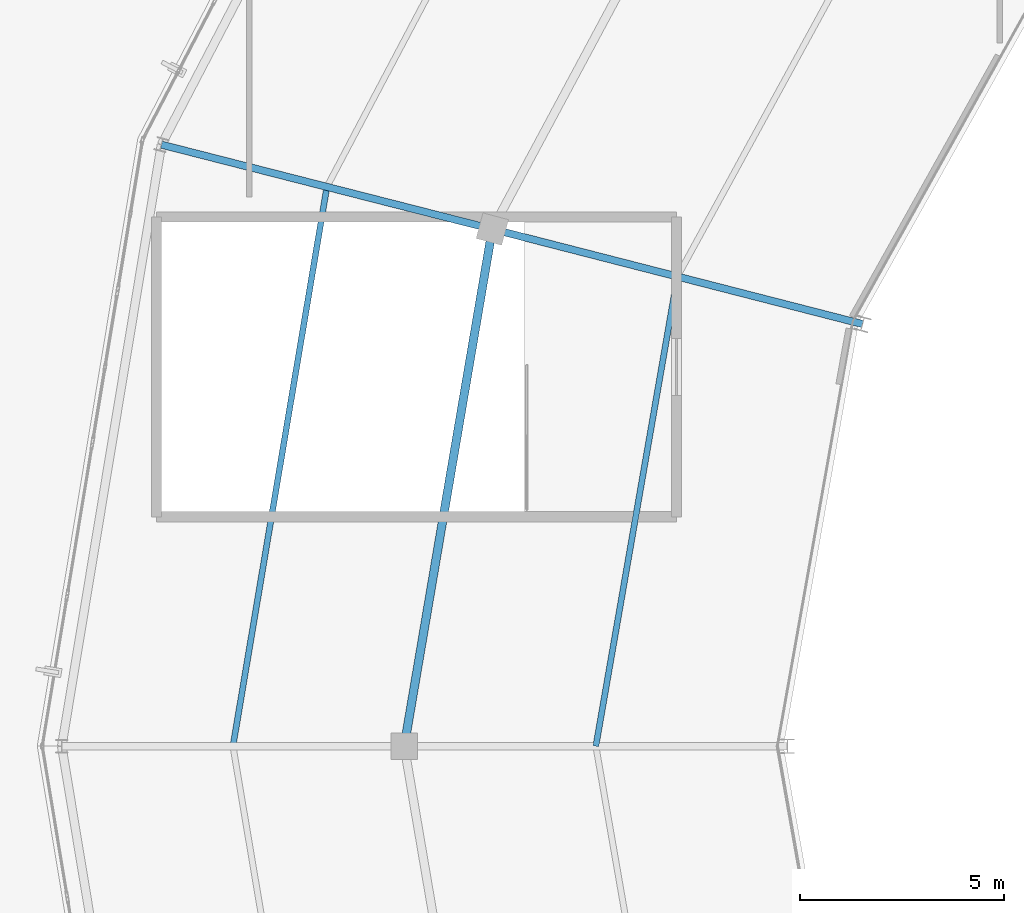
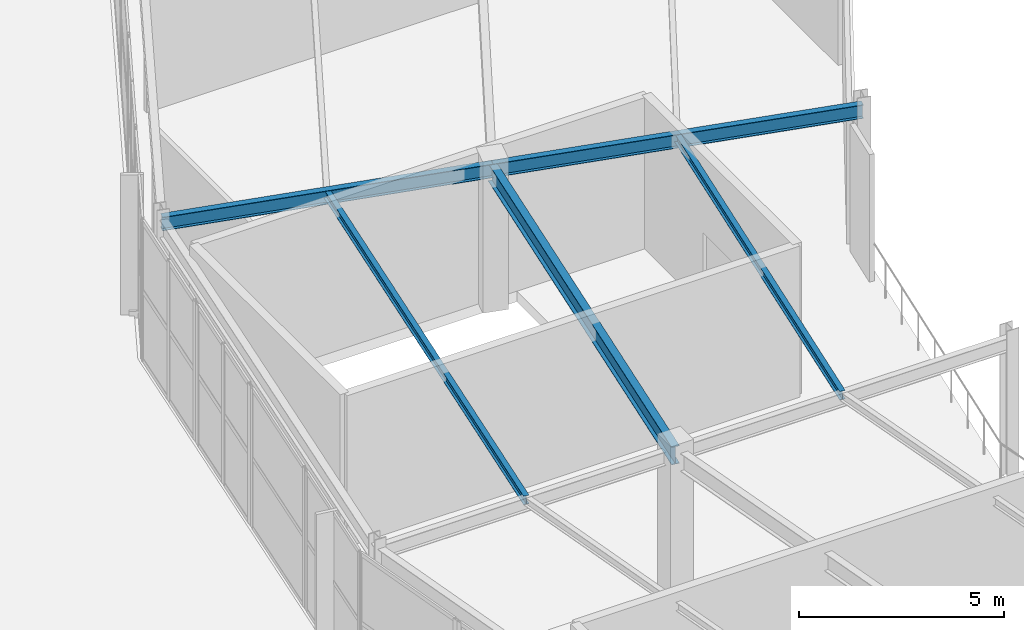
# One storey, part 53 of 126: 5 beams.
"""IFC4 building model written with IfcOpenShell, lengths in metres."""

from ifc_helpers import new_model, si_unit, direction, frame, origin, origin_2d, place, context, subcontext, project, spatial, i_section, extrude, material, material_profile, profile_set, type_object, element, save


model = new_model("IFC4")

# Units and contexts
model_context = context("Model", 3, precision=1e-05, world=origin(), true_north=direction((0.0, 1.0)))
body_context = subcontext(model_context, "Body", "Model", "MODEL_VIEW")
ifc_project = project(units=[si_unit("LENGTHUNIT", "METRE"), si_unit("AREAUNIT", "SQUARE_METRE"), si_unit("VOLUMEUNIT", "CUBIC_METRE"), si_unit("PLANEANGLEUNIT", "RADIAN"), si_unit("MASSUNIT", "GRAM", prefix="KILO")], contexts=[model_context])

# Site, building, storey
site_placement = place(None, origin())
site = spatial("IfcSite", under=ifc_project, at=site_placement, CompositionType="ELEMENT")
building_placement = place(site_placement, origin())
building = spatial("IfcBuilding", under=site, at=building_placement, Name="Kalgoora Escarpment Arena", CompositionType="ELEMENT")
storey_placement = place(building_placement, frame((0.0, 0.0, 18.89990234375)))
storey = spatial("IfcBuildingStorey", under=building, at=storey_placement, Name="L04", CompositionType="ELEMENT", Elevation=18.89990234375)

# Beams
ifc_material_1 = material(Name="Structural steel AS/NZS 3679 (300 MPa)", Category="steel")
ifc_material_profile_1 = material_profile(ifc_material_1, i_section(OverallWidth=0.14599609375, OverallDepth=0.256103515625, WebThickness=0.00634765625, FlangeThickness=0.010986328125, at=origin_2d()))
ifc_profile_set_1 = profile_set([ifc_material_profile_1], Name="Structural steel AS/NZS 3679 (300 MPa)")
beam_type_1 = type_object("IfcBeamType", Name="BM-BEAM-250UB37.3", PredefinedType="BEAM", material=ifc_profile_set_1)
beam_1_placement = place(storey_placement, frame((35.7001953125, 75.517333984375, 4.08203125), z_axis=(-0.171111128077, -0.985251735268, 0.0), x_axis=(0.985251735268, -0.171111128077, 0.0)))
element("IfcBeam", 1, at=beam_1_placement, inside=storey, type_object=beam_type_1, Name="L04 Concourse secondary ring beam 250UB37.3", PredefinedType="BEAM", context=body_context, shape_type="SweptSolid", body=[
    extrude(i_section(OverallWidth=0.14599609375, OverallDepth=0.256103515625, WebThickness=0.00634765625, FlangeThickness=0.010986328125, at=origin_2d()), origin(), (0.0, 0.0, 1.0), 11.689697265625),
])
beam_2_placement = place(storey_placement, frame((27.103515625, 77.71728515625, 4.08203125), z_axis=(-0.165605701668, -0.986192045991, 0.0), x_axis=(0.986192045991, -0.165605701668, 0.0)))
element("IfcBeam", 2, at=beam_2_placement, inside=storey, type_object=beam_type_1, Name="L04 Concourse secondary ring beam 250UB37.3", PredefinedType="BEAM", context=body_context, shape_type="SweptSolid", body=[
    extrude(i_section(OverallWidth=0.14599609375, OverallDepth=0.256103515625, WebThickness=0.00634765625, FlangeThickness=0.010986328125, at=origin_2d()), origin(), (0.0, 0.0, 1.0), 13.909423828125),
])
ifc_material_2 = material(Name="Structural steel AS/NZS 3679 (300 MPa)", Category="steel")
ifc_material_profile_2 = material_profile(ifc_material_2, i_section(OverallWidth=0.177978515625, OverallDepth=0.406005859375, WebThickness=0.0078125, FlangeThickness=0.0126953125, at=origin_2d()))
ifc_profile_set_2 = profile_set([ifc_material_profile_2], Name="Structural steel AS/NZS 3679 (300 MPa)")
beam_type_2 = type_object("IfcBeamType", Name="BM-GIRDER-410UB59.7", PredefinedType="USERDEFINED", material=ifc_profile_set_2)
beam_3_placement = place(storey_placement, frame((40.239990234375, 74.352783203125, 4.01708984375), z_axis=(-0.9686318836, 0.248500048438, 0.0), x_axis=(-0.248500048438, -0.9686318836, 0.0)))
element("IfcBeam", 3, at=beam_3_placement, inside=storey, type_object=beam_type_2, Name="L04 Radial concourse girder 410UB59.7", ObjectType="GIRDER", PredefinedType="USERDEFINED", context=body_context, shape_type="SweptSolid", body=[
    extrude(i_section(OverallWidth=0.177978515625, OverallDepth=0.406005859375, WebThickness=0.0078125, FlangeThickness=0.0126953125, at=origin_2d()), origin(), (0.0, 0.0, 1.0), 9.37353515625),
])
beam_4_placement = place(storey_placement, frame((31.160400390625, 76.68212890625, 4.01708984375), z_axis=(-0.968949372412, 0.247259203473, 0.0), x_axis=(-0.247259203473, -0.968949372412, 0.0)))
element("IfcBeam", 4, at=beam_4_placement, inside=storey, type_object=beam_type_2, Name="L04 Radial concourse girder 410UB59.7", ObjectType="GIRDER", PredefinedType="USERDEFINED", context=body_context, shape_type="SweptSolid", body=[
    extrude(i_section(OverallWidth=0.177978515625, OverallDepth=0.406005859375, WebThickness=0.0078125, FlangeThickness=0.0126953125, at=origin_2d()), origin(), (0.0, 0.0, 1.0), 8.3740234375),
])
ifc_material_3 = material(Name="Structural steel AS/NZS 3679 (300 MPa)", Category="steel")
ifc_material_profile_3 = material_profile(ifc_material_3, i_section(OverallWidth=0.208984375, OverallDepth=0.532958984375, WebThickness=0.01025390625, FlangeThickness=0.015625, at=origin_2d()))
ifc_profile_set_3 = profile_set([ifc_material_profile_3], Name="Structural steel AS/NZS 3679 (300 MPa)")
beam_type_3 = type_object("IfcBeamType", Name="BM-GIRDER-530UB92.4", PredefinedType="USERDEFINED", material=ifc_profile_set_3)
beam_5_placement = place(storey_placement, frame((31.160400390625, 76.68212890625, 3.943603515625), z_axis=(-0.167930802249, -0.985798785583, 0.0), x_axis=(0.985798785583, -0.167930802249, 0.0)))
element("IfcBeam", 5, at=beam_5_placement, inside=storey, type_object=beam_type_3, Name="L04 Circumferential concourse girder RCONC1 530UB92.4", ObjectType="GIRDER", PredefinedType="USERDEFINED", context=body_context, shape_type="SweptSolid", body=[
    extrude(i_section(OverallWidth=0.208984375, OverallDepth=0.532958984375, WebThickness=0.01025390625, FlangeThickness=0.015625, at=origin_2d()), origin(), (0.0, 0.0, 1.0), 12.86474609375),
])

save(model, "model.ifc")
